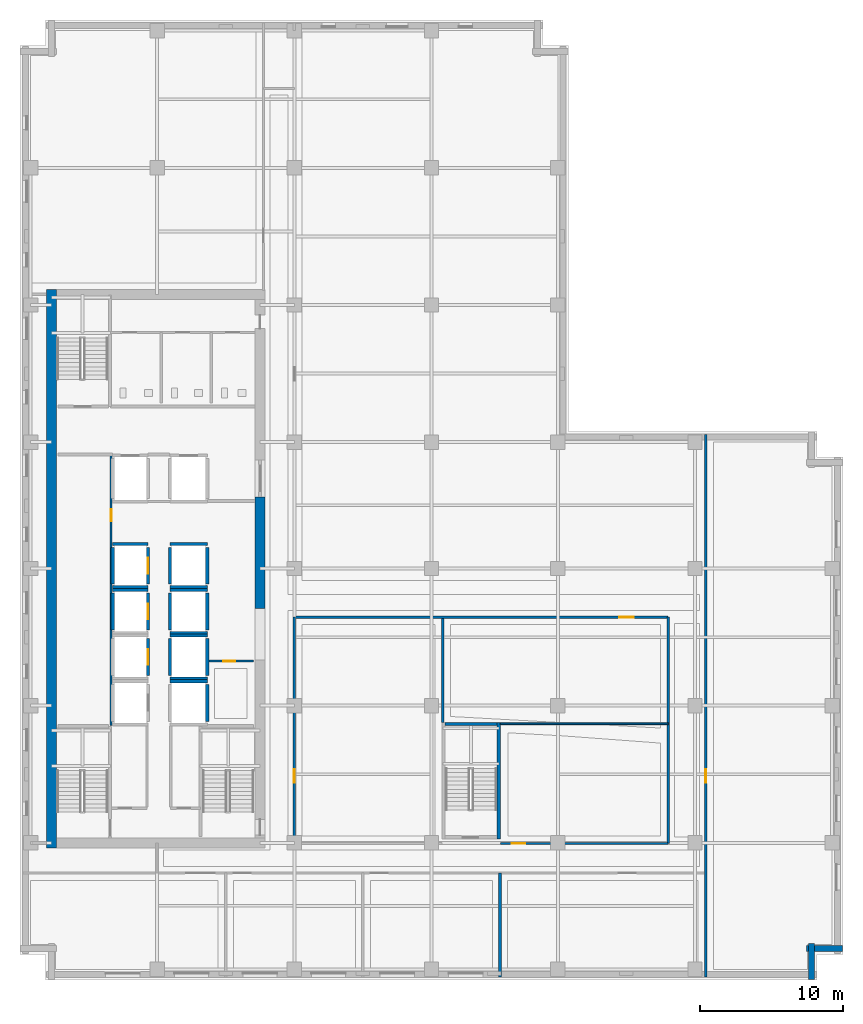
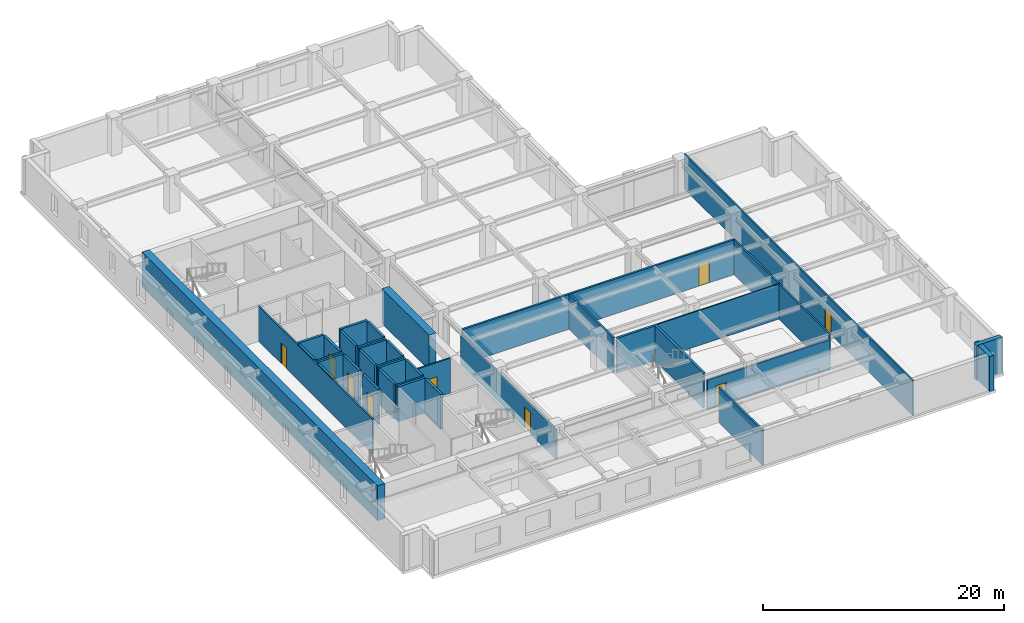
# One storey, part 4 of 11: 38 walls, 9 doors, 9 openings.
"""IFC4 building model written with IfcOpenShell, lengths in metres."""

from ifc_helpers import new_model, si_unit, direction, frame, frame_2d, origin, place, context, subcontext, project, spatial, rectangle, extrude, material, layer, layer_set, type_object, element, fill, save


model = new_model("IFC4")

# Units and contexts
model_context = context("Model", 3, precision=1e-05, world=origin(), true_north=direction((0.0, 1.0)))
body_context = subcontext(model_context, "Body", "Model", "MODEL_VIEW")
ifc_project = project(units=[si_unit("LENGTHUNIT", "METRE"), si_unit("AREAUNIT", "SQUARE_METRE"), si_unit("VOLUMEUNIT", "CUBIC_METRE"), si_unit("PLANEANGLEUNIT", "RADIAN"), si_unit("MASSUNIT", "GRAM", prefix="KILO")], contexts=[model_context])

# Site, building, storey
site_placement = place(None, origin())
site = spatial("IfcSite", under=ifc_project, at=site_placement, CompositionType="ELEMENT")
building_placement = place(site_placement, origin())
building = spatial("IfcBuilding", under=site, at=building_placement, Name="Norrvale University Quadrangle", CompositionType="ELEMENT")
storey_placement = place(building_placement, frame((0.0, 0.0, 124.199951171875)))
storey = spatial("IfcBuildingStorey", under=building, at=storey_placement, Name="L31", CompositionType="ELEMENT", Elevation=124.199951171875)

# Walls
ifc_material_1 = material(Name="Buff Norman Clay Brick Masonry", Category="masonry")
ifc_layer_1 = layer(ifc_material_1, 0.419921875, Name="Buff Norman Clay Brick Masonry")
ifc_layer_set_1 = layer_set([ifc_layer_1], Name="Buff Norman Clay Brick Masonry")
wall_type_1 = type_object("IfcWallType", Name="Wall Buff Brick 420", PredefinedType="SOLIDWALL", material=ifc_layer_set_1)
for number, where, z_axis, x_axis, name in (
    (1, (55.409912109375, 0.0400390625, 0.0), (0.0, 0.0, 1.0), (0.0, 1.0, 0.0), "Exterior Brick Facade Wall L31-02.1"),
    (2, (55.06005859375, 2.18994140625, 0.0), (0.0, 0.0, 1.0), (1.0, 0.0, 0.0), "Exterior Brick Facade Wall L31-03.1"),
):
    element("IfcWall", number, at=place(storey_placement, frame(where, z_axis=z_axis, x_axis=x_axis)), inside=storey, type_object=wall_type_1, Name=name, PredefinedType="SOLIDWALL", context=body_context, shape_type="SweptSolid", body=[
        extrude(rectangle(XDim=2.5, YDim=0.419921875, at=frame_2d((1.25, 0.0))), origin(), (0.0, 0.0, 1.0), 3.5400390625),
    ])
ifc_material_2 = material(Name="Concrete C60/75", Category="concrete")
ifc_layer_2 = layer(ifc_material_2, 0.699951171875, Name="Concrete C60/75")
ifc_layer_set_2 = layer_set([ifc_layer_2], Name="Concrete C60/75")
wall_type_2 = type_object("IfcWallType", Name="Wall Core 700", PredefinedType="SHEAR", material=ifc_layer_set_2)
wall_1_placement = place(storey_placement, frame((2.199951171875, 9.25, 0.0), z_axis=(0.0, 0.0, 1.0), x_axis=(0.0, 1.0, 0.0)))
element("IfcWall", 3, at=wall_1_placement, inside=storey, type_object=wall_type_2, Name="Tower Core Shear Wall L31-W", PredefinedType="SHEAR", context=body_context, shape_type="SweptSolid", body=[
    extrude(rectangle(XDim=39.10009765625, YDim=0.699951171875, at=frame_2d((19.550048828125, 0.0))), origin(), (0.0, 0.0, 1.0), 3.5400390625),
])
wall_2_placement = place(storey_placement, frame((16.800048828125, 26.0, 0.0), z_axis=(0.0, 0.0, 1.0), x_axis=(0.0, 1.0, 0.0)))
element("IfcWall", 4, at=wall_2_placement, inside=storey, type_object=wall_type_2, Name="Tower Core Shear Wall L31-E2", PredefinedType="SHEAR", context=body_context, shape_type="SweptSolid", body=[
    extrude(rectangle(XDim=7.800048828125, YDim=0.699951171875, at=frame_2d((3.89990234375, 0.0))), origin(), (0.0, 0.0, 1.0), 3.5400390625),
])
ifc_material_3 = material(Name="Standard Academic Gypsum Partition")
ifc_layer_3 = layer(ifc_material_3, 0.125, Name="Standard Academic Gypsum Partition")
ifc_layer_set_3 = layer_set([ifc_layer_3], Name="Standard Academic Gypsum Partition")
wall_type_3 = type_object("IfcWallType", Name="Wall Gypsum Academic 125", PredefinedType="PARTITIONING", material=ifc_layer_set_3)
wall_3_placement = place(storey_placement, frame((33.6201171875, 17.93994140625, 0.0), z_axis=(0.0, 0.0, 1.0), x_axis=(1.0, 0.0, 0.0)))
element("IfcWall", 5, at=wall_3_placement, inside=storey, type_object=wall_type_3, Name="Interior Partition WL-L31-ISLH", PredefinedType="PARTITIONING", context=body_context, shape_type="SweptSolid", body=[
    extrude(rectangle(XDim=11.7548828125, YDim=0.125, at=frame_2d((5.87744140625, 0.0))), origin(), (0.0, 0.0, 1.0), 3.5400390625),
])

# Wall, opening, door
ifc_material_4 = material(Name="Fire-Rated Gypsum Stud Partition")
ifc_layer_4 = layer(ifc_material_4, 0.14990234375, Name="Fire-Rated Gypsum Stud Partition")
ifc_layer_set_4 = layer_set([ifc_layer_4], Name="Fire-Rated Gypsum Stud Partition")
wall_type_4 = type_object("IfcWallType", Name="Wall Gypsum Corridor 150", PredefinedType="PARTITIONING", material=ifc_layer_set_4)
wall_4_placement = place(storey_placement, frame((13.22509765625, 22.320068359375, 0.0), z_axis=(0.0, 0.0, 1.0), x_axis=(1.0, 0.0, 0.0)))
wall_4 = element("IfcWall", 6, at=wall_4_placement, inside=storey, type_object=wall_type_4, Name="Interior Partition WL-L31-JAN-N", PredefinedType="PARTITIONING", context=body_context, shape_type="SweptSolid", body=[
    extrude(rectangle(XDim=3.119873046875, YDim=0.14990234375, at=frame_2d((1.56005859375, 0.0))), origin(), (0.0, 0.0, 1.0), 3.5400390625),
])
opening_1_placement = place(wall_4_placement, frame((1.0, 0.0, 0.0)))
opening_1 = element("IfcOpeningElement", 7, at=opening_1_placement, cuts=wall_4, Name="Opening D10", PredefinedType="OPENING", context=body_context, shape_type="SweptSolid", body=[
    extrude(rectangle(XDim=0.85009765625, YDim=2.10009765625, at=frame_2d((0.425048828125, 1.050048828125))), frame((0.0, 0.0869140625, 0.0), z_axis=(0.0, -1.0, 0.0), x_axis=(1.0, 0.0, 0.0)), (0.0, 0.0, 1.0), 0.173828125),
])
ifc_material_5 = material(Name="Hollow Steel 350W Riser Fire Door", Category="steel")
door_type_1 = type_object("IfcDoorType", Name="Door Riser 850x2100", OperationType="NOTDEFINED", PredefinedType="DOOR", material=ifc_material_5)
door_1_placement = place(opening_1_placement, origin())
door_1 = element("IfcDoor", 8, at=door_1_placement, inside=storey, type_object=door_type_1, Name="Door Riser 850x2100 DR-L31-JAN", OperationType="SINGLE_SWING_LEFT", OverallHeight=2.10009765625, OverallWidth=0.85009765625, PredefinedType="DOOR", context=body_context, shape_type="SweptSolid", body=[
    extrude(rectangle(XDim=0.85009765625, YDim=2.10009765625, at=frame_2d((0.425048828125, 1.050048828125))), frame((0.0, 0.02490234375, 0.0), z_axis=(0.0, -1.0, 0.0), x_axis=(1.0, 0.0, 0.0)), (0.0, 0.0, 1.0), 0.050048828125),
])
fill(opening_1, door_1)

wall_5_placement = place(storey_placement, frame((6.3798828125, 17.800048828125, 0.0), z_axis=(0.0, 0.0, 1.0), x_axis=(0.0, 1.0, 0.0)))
wall_5 = element("IfcWall", 9, at=wall_5_placement, inside=storey, type_object=wall_type_4, Name="Interior Partition WL-L31-WME-E", PredefinedType="PARTITIONING", context=body_context, shape_type="SweptSolid", body=[
    extrude(rectangle(XDim=18.97998046875, YDim=0.14990234375, at=frame_2d((9.489990234375, 0.0))), origin(), (0.0, 0.0, 1.0), 3.5400390625),
])
opening_2_placement = place(wall_5_placement, frame((14.300048828125, 0.0, 0.0)))
opening_2 = element("IfcOpeningElement", 10, at=opening_2_placement, cuts=wall_5, Name="Opening D10", PredefinedType="OPENING", context=body_context, shape_type="SweptSolid", body=[
    extrude(rectangle(XDim=0.85009765625, YDim=2.10009765625, at=frame_2d((0.425048828125, 1.050048828125))), frame((0.0, 0.0869140625, 0.0), z_axis=(0.0, -1.0, 0.0), x_axis=(1.0, 0.0, 0.0)), (0.0, 0.0, 1.0), 0.173828125),
])
door_2_placement = place(opening_2_placement, origin())
door_2 = element("IfcDoor", 11, at=door_2_placement, inside=storey, type_object=door_type_1, Name="Door Riser 850x2100 DR-L31-WME", OperationType="SINGLE_SWING_LEFT", OverallHeight=2.10009765625, OverallWidth=0.85009765625, PredefinedType="DOOR", context=body_context, shape_type="SweptSolid", body=[
    extrude(rectangle(XDim=0.85009765625, YDim=2.10009765625, at=frame_2d((0.425048828125, 1.050048828125))), frame((0.0, 0.02490234375, 0.0), z_axis=(0.0, -1.0, 0.0), x_axis=(1.0, 0.0, 0.0)), (0.0, 0.0, 1.0), 0.050048828125),
])
fill(opening_2, door_2)

wall_6_placement = place(storey_placement, frame((48.0, 0.219970703125, 0.0), z_axis=(0.0, 0.0, 1.0), x_axis=(0.0, 1.0, 0.0)))
wall_6 = element("IfcWall", 12, at=wall_6_placement, inside=storey, type_object=wall_type_4, Name="Interior Partition WL-L31-ECW", PredefinedType="PARTITIONING", context=body_context, shape_type="SweptSolid", body=[
    extrude(rectangle(XDim=37.9599609375, YDim=0.14990234375, at=frame_2d((18.97998046875, 0.0))), origin(), (0.0, 0.0, 1.0), 3.5400390625),
])
opening_3_placement = place(wall_6_placement, frame((13.580078125, 0.0, 0.0)))
opening_3 = element("IfcOpeningElement", 13, at=opening_3_placement, cuts=wall_6, Name="Opening D07", PredefinedType="OPENING", context=body_context, shape_type="SweptSolid", body=[
    extrude(rectangle(XDim=0.949951171875, YDim=2.14990234375, at=frame_2d((0.47509765625, 1.074951171875))), frame((0.0, 0.0869140625, 0.0), z_axis=(0.0, -1.0, 0.0), x_axis=(1.0, 0.0, 0.0)), (0.0, 0.0, 1.0), 0.173828125),
])
ifc_material_6 = material(Name="Solid-Core Maple Door", Category="wood")
door_type_2 = type_object("IfcDoorType", Name="Door Office 950x2150", OperationType="NOTDEFINED", PredefinedType="DOOR", material=ifc_material_6)
door_3_placement = place(opening_3_placement, origin())
door_3 = element("IfcDoor", 14, at=door_3_placement, inside=storey, type_object=door_type_2, Name="Door Office 950x2150 DR-L31-E01", OperationType="SINGLE_SWING_RIGHT", OverallHeight=2.14990234375, OverallWidth=0.949951171875, PredefinedType="DOOR", context=body_context, shape_type="SweptSolid", body=[
    extrude(rectangle(XDim=0.949951171875, YDim=2.14990234375, at=frame_2d((0.47509765625, 1.074951171875))), frame((0.0, 0.02490234375, 0.0), z_axis=(0.0, -1.0, 0.0), x_axis=(1.0, 0.0, 0.0)), (0.0, 0.0, 1.0), 0.050048828125),
])
fill(opening_3, door_3)

wall_7_placement = place(storey_placement, frame((19.199951171875, 9.550048828125, 0.0), z_axis=(0.0, 0.0, 1.0), x_axis=(0.0, 1.0, 0.0)))
wall_7 = element("IfcWall", 15, at=wall_7_placement, inside=storey, type_object=wall_type_4, Name="Interior Partition WL-L31-ISLW", PredefinedType="PARTITIONING", context=body_context, shape_type="SweptSolid", body=[
    extrude(rectangle(XDim=15.849853515625, YDim=0.14990234375, at=frame_2d((7.9248046875, 0.0))), origin(), (0.0, 0.0, 1.0), 2.99609375),
])
opening_4_placement = place(wall_7_placement, frame((4.25, 0.0, 0.0)))
opening_4 = element("IfcOpeningElement", 16, at=opening_4_placement, cuts=wall_7, Name="Opening D07", PredefinedType="OPENING", context=body_context, shape_type="SweptSolid", body=[
    extrude(rectangle(XDim=0.949951171875, YDim=2.14990234375, at=frame_2d((0.47509765625, 1.074951171875))), frame((0.0, 0.0869140625, 0.0), z_axis=(0.0, -1.0, 0.0), x_axis=(1.0, 0.0, 0.0)), (0.0, 0.0, 1.0), 0.173828125),
])
door_4_placement = place(opening_4_placement, origin())
door_4 = element("IfcDoor", 17, at=door_4_placement, inside=storey, type_object=door_type_2, Name="Door Office 950x2150 DR-L31-IW1", OperationType="SINGLE_SWING_LEFT", OverallHeight=2.14990234375, OverallWidth=0.949951171875, PredefinedType="DOOR", context=body_context, shape_type="SweptSolid", body=[
    extrude(rectangle(XDim=0.949951171875, YDim=2.14990234375, at=frame_2d((0.47509765625, 1.074951171875))), frame((0.0, 0.02490234375, 0.0), z_axis=(0.0, -1.0, 0.0), x_axis=(1.0, 0.0, 0.0)), (0.0, 0.0, 1.0), 0.050048828125),
])
fill(opening_4, door_4)

wall_8_placement = place(storey_placement, frame((33.6201171875, 9.550048828125, 0.0), z_axis=(0.0, 0.0, 1.0), x_axis=(1.0, 0.0, 0.0)))
wall_8 = element("IfcWall", 18, at=wall_8_placement, inside=storey, type_object=wall_type_4, Name="Interior Partition WL-L31-ISLS2", PredefinedType="PARTITIONING", context=body_context, shape_type="SweptSolid", body=[
    extrude(rectangle(XDim=11.7548828125, YDim=0.14990234375, at=frame_2d((5.87744140625, 0.0))), origin(), (0.0, 0.0, 1.0), 2.99609375),
])
opening_5_placement = place(wall_8_placement, frame((0.800048828125, 0.0, 0.0)))
opening_5 = element("IfcOpeningElement", 19, at=opening_5_placement, cuts=wall_8, Name="Opening D07", PredefinedType="OPENING", context=body_context, shape_type="SweptSolid", body=[
    extrude(rectangle(XDim=0.949951171875, YDim=2.14990234375, at=frame_2d((0.47509765625, 1.074951171875))), frame((0.0, 0.0869140625, 0.0), z_axis=(0.0, -1.0, 0.0), x_axis=(1.0, 0.0, 0.0)), (0.0, 0.0, 1.0), 0.173828125),
])
door_5_placement = place(opening_5_placement, origin())
door_5 = element("IfcDoor", 20, at=door_5_placement, inside=storey, type_object=door_type_2, Name="Door Office 950x2150 DR-L31-ISE", OperationType="SINGLE_SWING_LEFT", OverallHeight=2.14990234375, OverallWidth=0.949951171875, PredefinedType="DOOR", context=body_context, shape_type="SweptSolid", body=[
    extrude(rectangle(XDim=0.949951171875, YDim=2.14990234375, at=frame_2d((0.47509765625, 1.074951171875))), frame((0.0, 0.02490234375, 0.0), z_axis=(0.0, -1.0, 0.0), x_axis=(1.0, 0.0, 0.0)), (0.0, 0.0, 1.0), 0.050048828125),
])
fill(opening_5, door_5)

# Walls
wall_9_placement = place(storey_placement, frame((45.375, 9.550048828125, 0.0), z_axis=(0.0, 0.0, 1.0), x_axis=(0.0, 1.0, 0.0)))
element("IfcWall", 21, at=wall_9_placement, inside=storey, type_object=wall_type_4, Name="Interior Partition WL-L31-ISLE", PredefinedType="PARTITIONING", context=body_context, shape_type="SweptSolid", body=[
    extrude(rectangle(XDim=15.849853515625, YDim=0.14990234375, at=frame_2d((7.9248046875, 0.0))), origin(), (0.0, 0.0, 1.0), 3.5400390625),
])
ifc_material_7 = material(Name="Acoustic Double-Stud Gypsum Partition")
ifc_layer_5 = layer(ifc_material_7, 0.179931640625, Name="Acoustic Double-Stud Gypsum Partition")
ifc_layer_set_5 = layer_set([ifc_layer_5], Name="Acoustic Double-Stud Gypsum Partition")
wall_type_5 = type_object("IfcWallType", Name="Wall Gypsum Lecture 180", PredefinedType="PARTITIONING", material=ifc_layer_set_5)
for number, where, z_axis, x_axis, name in (
    (22, (33.60009765625, 0.219970703125, 0.0), (0.0, 0.0, 1.0), (0.0, 1.0, 0.0), "Interior Partition WL-L31-SP03"),
    (23, (29.580078125, 18.02490234375, 0.0), (0.0, 0.0, 1.0), (0.0, 1.0, 0.0), "Interior Partition WL-L31-ISLD"),
):
    element("IfcWall", number, at=place(storey_placement, frame(where, z_axis=z_axis, x_axis=x_axis)), inside=storey, type_object=wall_type_5, Name=name, PredefinedType="PARTITIONING", context=body_context, shape_type="SweptSolid", body=[
        extrude(rectangle(XDim=7.280029296875, YDim=0.179931640625, at=frame_2d((3.64013671875, 0.0))), origin(), (0.0, 0.0, 1.0), 3.5400390625),
    ])

# Wall, opening, door
wall_10_placement = place(storey_placement, frame((19.280029296875, 25.39990234375, 0.0), z_axis=(0.0, 0.0, 1.0), x_axis=(1.0, 0.0, 0.0)))
wall_10 = element("IfcWall", 24, at=wall_10_placement, inside=storey, type_object=wall_type_5, Name="Interior Partition WL-L31-ISLN", PredefinedType="PARTITIONING", context=body_context, shape_type="SweptSolid", body=[
    extrude(rectangle(XDim=26.094970703125, YDim=0.179931640625, at=frame_2d((13.04736328125, 0.0))), origin(), (0.0, 0.0, 1.0), 3.5400390625),
])
opening_6_placement = place(wall_10_placement, frame((22.669921875, 0.0, 0.0)))
opening_6 = element("IfcOpeningElement", 25, at=opening_6_placement, cuts=wall_10, Name="Opening D04", PredefinedType="OPENING", context=body_context, shape_type="SweptSolid", body=[
    extrude(rectangle(XDim=1.0, YDim=2.199951171875, at=frame_2d((0.5, 1.10009765625))), frame((0.0, 0.10205078125, 0.0), z_axis=(0.0, -1.0, 0.0), x_axis=(1.0, 0.0, 0.0)), (0.0, 0.0, 1.0), 0.203857421875),
])
ifc_material_8 = material(Name="Solid-Core Oak Fire Door", Category="wood")
door_type_3 = type_object("IfcDoorType", Name="Door Corridor 1000x2200", OperationType="NOTDEFINED", PredefinedType="DOOR", material=ifc_material_8)
door_6_placement = place(opening_6_placement, origin())
door_6 = element("IfcDoor", 26, at=door_6_placement, inside=storey, type_object=door_type_3, Name="Door Corridor 1000x2200 DR-L31-ILH", OperationType="SINGLE_SWING_RIGHT", OverallHeight=2.199951171875, OverallWidth=1.0, PredefinedType="DOOR", context=body_context, shape_type="SweptSolid", body=[
    extrude(rectangle(XDim=1.0, YDim=2.199951171875, at=frame_2d((0.5, 1.10009765625))), frame((0.0, 0.02490234375, 0.0), z_axis=(0.0, -1.0, 0.0), x_axis=(1.0, 0.0, 0.0)), (0.0, 0.0, 1.0), 0.050048828125),
])
fill(opening_6, door_6)

# Walls
ifc_material_9 = material(Name="Concrete Blockwork 20 MPa Fire Shaft", Category="masonry")
ifc_layer_6 = layer(ifc_material_9, 0.219970703125, Name="Concrete Blockwork 20 MPa Fire Shaft")
ifc_layer_set_6 = layer_set([ifc_layer_6], Name="Concrete Blockwork 20 MPa Fire Shaft")
wall_type_6 = type_object("IfcWallType", Name="Wall Shaft 220", PredefinedType="SOLIDWALL", material=ifc_layer_set_6)
wall_11_placement = place(storey_placement, frame((33.510009765625, 9.8798828125, 0.0), z_axis=(0.0, 0.0, 1.0), x_axis=(0.0, 1.0, 0.0)))
element("IfcWall", 27, at=wall_11_placement, inside=storey, type_object=wall_type_6, Name="Stair ST-04 East Shaft Wall L31", PredefinedType="SOLIDWALL", context=body_context, shape_type="SweptSolid", body=[
    extrude(rectangle(XDim=8.14013671875, YDim=0.219970703125, at=frame_2d((4.070068359375, 0.0))), origin(), (0.0, 0.0, 1.0), 3.5400390625),
])
wall_12_placement = place(storey_placement, frame((29.75, 17.909912109375, 0.0), z_axis=(0.0, 0.0, 1.0), x_axis=(1.0, 0.0, 0.0)))
element("IfcWall", 28, at=wall_12_placement, inside=storey, type_object=wall_type_6, Name="Stair ST-04 North Shaft Wall L31", PredefinedType="SOLIDWALL", context=body_context, shape_type="SweptSolid", body=[
    extrude(rectangle(XDim=3.64990234375, YDim=0.219970703125, at=frame_2d((1.824951171875, 0.0))), origin(), (0.0, 0.0, 1.0), 3.5400390625),
])

# Wall, opening, door
wall_13_placement = place(storey_placement, frame((8.9599609375, 21.31005859375, 0.0), z_axis=(0.0, 0.0, 1.0), x_axis=(0.0, 1.0, 0.0)))
wall_13 = element("IfcWall", 29, at=wall_13_placement, inside=storey, type_object=wall_type_6, Name="Hoistway PL-02 East Wall L31", PredefinedType="SOLIDWALL", context=body_context, shape_type="SweptSolid", body=[
    extrude(rectangle(XDim=2.579833984375, YDim=0.219970703125, at=frame_2d((1.2900390625, 0.0))), origin(), (0.0, 0.0, 1.0), 3.5400390625),
])
opening_7_placement = place(wall_13_placement, frame((0.739990234375, 0.0, 0.0)))
opening_7 = element("IfcOpeningElement", 30, at=opening_7_placement, cuts=wall_13, Name="Opening LD1", PredefinedType="OPENING", context=body_context, shape_type="SweptSolid", body=[
    extrude(rectangle(XDim=1.10009765625, YDim=2.199951171875, at=frame_2d((0.550048828125, 1.10009765625))), frame((0.0, 0.1220703125, 0.0), z_axis=(0.0, -1.0, 0.0), x_axis=(1.0, 0.0, 0.0)), (0.0, 0.0, 1.0), 0.243896484375),
])
ifc_material_10 = material(Name="Stainless Steel 316L Lift Landing Door", Category="steel")
door_type_4 = type_object("IfcDoorType", Name="Door Lift Landing 1100x2200", OperationType="DOUBLE_DOOR_SLIDING", PredefinedType="DOOR", material=ifc_material_10)
door_7_placement = place(opening_7_placement, origin())
door_7 = element("IfcDoor", 31, at=door_7_placement, inside=storey, type_object=door_type_4, Name="Elevator Landing Door DR-L31-PL-02", OperationType="DOUBLE_DOOR_SLIDING", OverallHeight=2.199951171875, OverallWidth=1.10009765625, PredefinedType="DOOR", context=body_context, shape_type="SweptSolid", body=[
    extrude(rectangle(XDim=1.10009765625, YDim=2.199951171875, at=frame_2d((0.550048828125, 1.10009765625))), frame((0.0, 0.02490234375, 0.0), z_axis=(0.0, -1.0, 0.0), x_axis=(1.0, 0.0, 0.0)), (0.0, 0.0, 1.0), 0.050048828125),
])
fill(opening_7, door_7)

# Wall
wall_14_placement = place(storey_placement, frame((6.489990234375, 24.510009765625, 0.0), z_axis=(0.0, 0.0, 1.0), x_axis=(0.0, 1.0, 0.0)))
element("IfcWall", 32, at=wall_14_placement, inside=storey, type_object=wall_type_6, Name="Hoistway PL-03 West Wall L31", PredefinedType="SOLIDWALL", context=body_context, shape_type="SweptSolid", body=[
    extrude(rectangle(XDim=2.580078125, YDim=0.219970703125, at=frame_2d((1.2900390625, 0.0))), origin(), (0.0, 0.0, 1.0), 3.5400390625),
])

# Wall, opening, door
wall_15_placement = place(storey_placement, frame((8.9599609375, 24.510009765625, 0.0), z_axis=(0.0, 0.0, 1.0), x_axis=(0.0, 1.0, 0.0)))
wall_15 = element("IfcWall", 33, at=wall_15_placement, inside=storey, type_object=wall_type_6, Name="Hoistway PL-03 East Wall L31", PredefinedType="SOLIDWALL", context=body_context, shape_type="SweptSolid", body=[
    extrude(rectangle(XDim=2.580078125, YDim=0.219970703125, at=frame_2d((1.2900390625, 0.0))), origin(), (0.0, 0.0, 1.0), 3.5400390625),
])
opening_8_placement = place(wall_15_placement, frame((0.739990234375, 0.0, 0.0)))
opening_8 = element("IfcOpeningElement", 34, at=opening_8_placement, cuts=wall_15, Name="Opening LD1", PredefinedType="OPENING", context=body_context, shape_type="SweptSolid", body=[
    extrude(rectangle(XDim=1.10009765625, YDim=2.199951171875, at=frame_2d((0.550048828125, 1.10009765625))), frame((0.0, 0.1220703125, 0.0), z_axis=(0.0, -1.0, 0.0), x_axis=(1.0, 0.0, 0.0)), (0.0, 0.0, 1.0), 0.243896484375),
])
door_8_placement = place(opening_8_placement, origin())
door_8 = element("IfcDoor", 35, at=door_8_placement, inside=storey, type_object=door_type_4, Name="Elevator Landing Door DR-L31-PL-03", OperationType="DOUBLE_DOOR_SLIDING", OverallHeight=2.199951171875, OverallWidth=1.10009765625, PredefinedType="DOOR", context=body_context, shape_type="SweptSolid", body=[
    extrude(rectangle(XDim=1.10009765625, YDim=2.199951171875, at=frame_2d((0.550048828125, 1.10009765625))), frame((0.0, 0.02490234375, 0.0), z_axis=(0.0, -1.0, 0.0), x_axis=(1.0, 0.0, 0.0)), (0.0, 0.0, 1.0), 0.050048828125),
])
fill(opening_8, door_8)

# Walls
wall_16_placement = place(storey_placement, frame((6.489990234375, 27.31005859375, 0.0), z_axis=(0.0, 0.0, 1.0), x_axis=(1.0, 0.0, 0.0)))
element("IfcWall", 36, at=wall_16_placement, inside=storey, type_object=wall_type_6, Name="Hoistway PL-03 North Wall L31", PredefinedType="SOLIDWALL", context=body_context, shape_type="SweptSolid", body=[
    extrude(rectangle(XDim=2.469970703125, YDim=0.219970703125, at=frame_2d((1.23486328125, 0.0))), origin(), (0.0, 0.0, 1.0), 3.5400390625),
])
wall_17_placement = place(storey_placement, frame((6.489990234375, 27.7099609375, 0.0), z_axis=(0.0, 0.0, 1.0), x_axis=(0.0, 1.0, 0.0)))
element("IfcWall", 37, at=wall_17_placement, inside=storey, type_object=wall_type_6, Name="Hoistway PL-04 West Wall L31", PredefinedType="SOLIDWALL", context=body_context, shape_type="SweptSolid", body=[
    extrude(rectangle(XDim=2.580078125, YDim=0.219970703125, at=frame_2d((1.2900390625, 0.0))), origin(), (0.0, 0.0, 1.0), 3.5400390625),
])

# Wall, opening, door
wall_18_placement = place(storey_placement, frame((8.9599609375, 27.7099609375, 0.0), z_axis=(0.0, 0.0, 1.0), x_axis=(0.0, 1.0, 0.0)))
wall_18 = element("IfcWall", 38, at=wall_18_placement, inside=storey, type_object=wall_type_6, Name="Hoistway PL-04 East Wall L31", PredefinedType="SOLIDWALL", context=body_context, shape_type="SweptSolid", body=[
    extrude(rectangle(XDim=2.580078125, YDim=0.219970703125, at=frame_2d((1.2900390625, 0.0))), origin(), (0.0, 0.0, 1.0), 3.5400390625),
])
opening_9_placement = place(wall_18_placement, frame((0.739990234375, 0.0, 0.0)))
opening_9 = element("IfcOpeningElement", 39, at=opening_9_placement, cuts=wall_18, Name="Opening LD1", PredefinedType="OPENING", context=body_context, shape_type="SweptSolid", body=[
    extrude(rectangle(XDim=1.10009765625, YDim=2.199951171875, at=frame_2d((0.550048828125, 1.10009765625))), frame((0.0, 0.1220703125, 0.0), z_axis=(0.0, -1.0, 0.0), x_axis=(1.0, 0.0, 0.0)), (0.0, 0.0, 1.0), 0.243896484375),
])
door_9_placement = place(opening_9_placement, origin())
door_9 = element("IfcDoor", 40, at=door_9_placement, inside=storey, type_object=door_type_4, Name="Elevator Landing Door DR-L31-PL-04", OperationType="DOUBLE_DOOR_SLIDING", OverallHeight=2.199951171875, OverallWidth=1.10009765625, PredefinedType="DOOR", context=body_context, shape_type="SweptSolid", body=[
    extrude(rectangle(XDim=1.10009765625, YDim=2.199951171875, at=frame_2d((0.550048828125, 1.10009765625))), frame((0.0, 0.02490234375, 0.0), z_axis=(0.0, -1.0, 0.0), x_axis=(1.0, 0.0, 0.0)), (0.0, 0.0, 1.0), 0.050048828125),
])
fill(opening_9, door_9)

# Walls
for number, where, z_axis, x_axis, name in (
    (41, (6.489990234375, 27.489990234375, 0.0), (0.0, 0.0, 1.0), (1.0, 0.0, 0.0), "Hoistway PL-04 South Wall L31"),
    (42, (6.489990234375, 30.510009765625, 0.0), (0.0, 0.0, 1.0), (1.0, 0.0, 0.0), "Hoistway PL-04 North Wall L31"),
):
    element("IfcWall", number, at=place(storey_placement, frame(where, z_axis=z_axis, x_axis=x_axis)), inside=storey, type_object=wall_type_6, Name=name, PredefinedType="SOLIDWALL", context=body_context, shape_type="SweptSolid", body=[
        extrude(rectangle(XDim=2.469970703125, YDim=0.219970703125, at=frame_2d((1.23486328125, 0.0))), origin(), (0.0, 0.0, 1.0), 3.5400390625),
    ])
wall_19_placement = place(storey_placement, frame((13.110107421875, 18.110107421875, 0.0), z_axis=(0.0, 0.0, 1.0), x_axis=(0.0, 1.0, 0.0)))
element("IfcWall", 43, at=wall_19_placement, inside=storey, type_object=wall_type_6, Name="Hoistway PL-05 East Wall L31", PredefinedType="SOLIDWALL", context=body_context, shape_type="SweptSolid", body=[
    extrude(rectangle(XDim=2.579833984375, YDim=0.219970703125, at=frame_2d((1.2900390625, 0.0))), origin(), (0.0, 0.0, 1.0), 3.5400390625),
])
wall_20_placement = place(storey_placement, frame((10.489990234375, 20.909912109375, 0.0), z_axis=(0.0, 0.0, 1.0), x_axis=(1.0, 0.0, 0.0)))
element("IfcWall", 44, at=wall_20_placement, inside=storey, type_object=wall_type_6, Name="Hoistway PL-05 North Wall L31", PredefinedType="SOLIDWALL", context=body_context, shape_type="SweptSolid", body=[
    extrude(rectangle(XDim=2.6201171875, YDim=0.219970703125, at=frame_2d((1.31005859375, 0.0))), origin(), (0.0, 0.0, 1.0), 3.5400390625),
])
for number, where, z_axis, x_axis, name in (
    (45, (10.489990234375, 21.31005859375, 0.0), (0.0, 0.0, 1.0), (0.0, 1.0, 0.0), "Hoistway PL-06 West Wall L31"),
    (46, (13.110107421875, 21.31005859375, 0.0), (0.0, 0.0, 1.0), (0.0, 1.0, 0.0), "Hoistway PL-06 East Wall L31"),
):
    element("IfcWall", number, at=place(storey_placement, frame(where, z_axis=z_axis, x_axis=x_axis)), inside=storey, type_object=wall_type_6, Name=name, PredefinedType="SOLIDWALL", context=body_context, shape_type="SweptSolid", body=[
        extrude(rectangle(XDim=2.579833984375, YDim=0.219970703125, at=frame_2d((1.2900390625, 0.0))), origin(), (0.0, 0.0, 1.0), 3.5400390625),
    ])
for number, where, z_axis, x_axis, name in (
    (47, (10.489990234375, 21.090087890625, 0.0), (0.0, 0.0, 1.0), (1.0, 0.0, 0.0), "Hoistway PL-06 South Wall L31"),
    (48, (10.489990234375, 24.110107421875, 0.0), (0.0, 0.0, 1.0), (1.0, 0.0, 0.0), "Hoistway PL-06 North Wall L31"),
):
    element("IfcWall", number, at=place(storey_placement, frame(where, z_axis=z_axis, x_axis=x_axis)), inside=storey, type_object=wall_type_6, Name=name, PredefinedType="SOLIDWALL", context=body_context, shape_type="SweptSolid", body=[
        extrude(rectangle(XDim=2.6201171875, YDim=0.219970703125, at=frame_2d((1.31005859375, 0.0))), origin(), (0.0, 0.0, 1.0), 3.5400390625),
    ])
for number, where, z_axis, x_axis, name in (
    (49, (10.489990234375, 24.510009765625, 0.0), (0.0, 0.0, 1.0), (0.0, 1.0, 0.0), "Hoistway PL-07 West Wall L31"),
    (50, (13.110107421875, 24.510009765625, 0.0), (0.0, 0.0, 1.0), (0.0, 1.0, 0.0), "Hoistway PL-07 East Wall L31"),
):
    element("IfcWall", number, at=place(storey_placement, frame(where, z_axis=z_axis, x_axis=x_axis)), inside=storey, type_object=wall_type_6, Name=name, PredefinedType="SOLIDWALL", context=body_context, shape_type="SweptSolid", body=[
        extrude(rectangle(XDim=2.580078125, YDim=0.219970703125, at=frame_2d((1.2900390625, 0.0))), origin(), (0.0, 0.0, 1.0), 3.5400390625),
    ])
for number, where, z_axis, x_axis, name in (
    (51, (10.489990234375, 24.2900390625, 0.0), (0.0, 0.0, 1.0), (1.0, 0.0, 0.0), "Hoistway PL-07 South Wall L31"),
    (52, (10.489990234375, 27.31005859375, 0.0), (0.0, 0.0, 1.0), (1.0, 0.0, 0.0), "Hoistway PL-07 North Wall L31"),
):
    element("IfcWall", number, at=place(storey_placement, frame(where, z_axis=z_axis, x_axis=x_axis)), inside=storey, type_object=wall_type_6, Name=name, PredefinedType="SOLIDWALL", context=body_context, shape_type="SweptSolid", body=[
        extrude(rectangle(XDim=2.6201171875, YDim=0.219970703125, at=frame_2d((1.31005859375, 0.0))), origin(), (0.0, 0.0, 1.0), 3.5400390625),
    ])
for number, where, z_axis, x_axis, name in (
    (53, (10.489990234375, 27.7099609375, 0.0), (0.0, 0.0, 1.0), (0.0, 1.0, 0.0), "Hoistway PL-08 West Wall L31"),
    (54, (13.110107421875, 27.7099609375, 0.0), (0.0, 0.0, 1.0), (0.0, 1.0, 0.0), "Hoistway PL-08 East Wall L31"),
):
    element("IfcWall", number, at=place(storey_placement, frame(where, z_axis=z_axis, x_axis=x_axis)), inside=storey, type_object=wall_type_6, Name=name, PredefinedType="SOLIDWALL", context=body_context, shape_type="SweptSolid", body=[
        extrude(rectangle(XDim=2.580078125, YDim=0.219970703125, at=frame_2d((1.2900390625, 0.0))), origin(), (0.0, 0.0, 1.0), 3.5400390625),
    ])
for number, where, z_axis, x_axis, name in (
    (55, (10.489990234375, 27.489990234375, 0.0), (0.0, 0.0, 1.0), (1.0, 0.0, 0.0), "Hoistway PL-08 South Wall L31"),
    (56, (10.489990234375, 30.510009765625, 0.0), (0.0, 0.0, 1.0), (1.0, 0.0, 0.0), "Hoistway PL-08 North Wall L31"),
):
    element("IfcWall", number, at=place(storey_placement, frame(where, z_axis=z_axis, x_axis=x_axis)), inside=storey, type_object=wall_type_6, Name=name, PredefinedType="SOLIDWALL", context=body_context, shape_type="SweptSolid", body=[
        extrude(rectangle(XDim=2.6201171875, YDim=0.219970703125, at=frame_2d((1.31005859375, 0.0))), origin(), (0.0, 0.0, 1.0), 3.5400390625),
    ])

save(model, "model.ifc")
